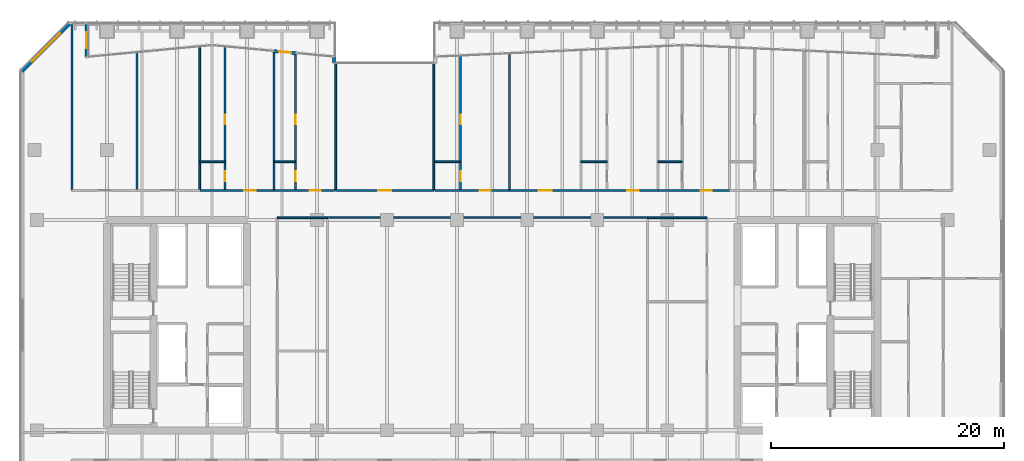
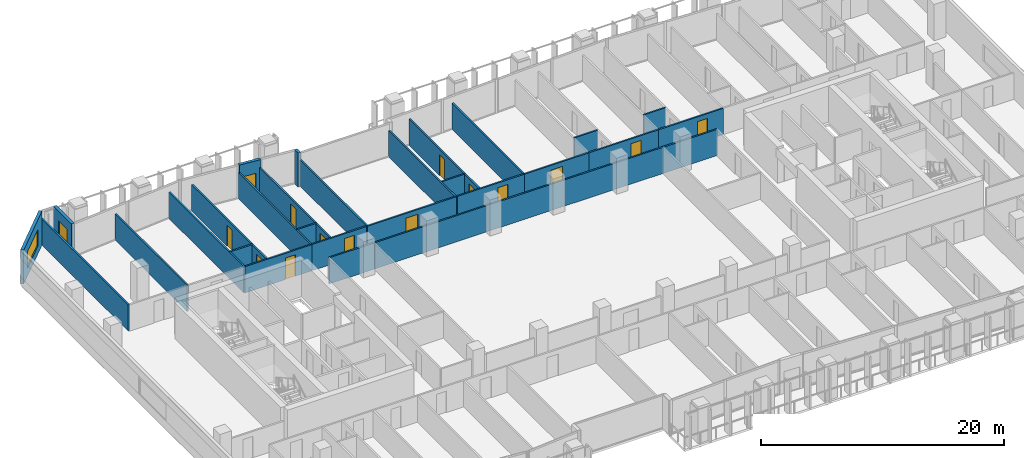
# One storey, part 21 of 31: 29 walls, 14 doors, 2 windows, 16 openings.
"""IFC4 building model written with IfcOpenShell, lengths in metres."""

from ifc_helpers import new_model, si_unit, direction, frame, frame_2d, origin, place, context, subcontext, project, spatial, rectangle, extrude, material, layer, layer_set, type_object, element, fill, save


model = new_model("IFC4")

# Units and contexts
model_context = context("Model", 3, precision=1e-05, world=origin(), true_north=direction((0.0, 1.0)))
body_context = subcontext(model_context, "Body", "Model", "MODEL_VIEW")
ifc_project = project(units=[si_unit("LENGTHUNIT", "METRE"), si_unit("AREAUNIT", "SQUARE_METRE"), si_unit("VOLUMEUNIT", "CUBIC_METRE"), si_unit("PLANEANGLEUNIT", "RADIAN"), si_unit("MASSUNIT", "GRAM", prefix="KILO")], contexts=[model_context])

# Site, building, storey
site_placement = place(None, origin())
site = spatial("IfcSite", under=ifc_project, at=site_placement, CompositionType="ELEMENT")
building_placement = place(site_placement, origin())
building = spatial("IfcBuilding", under=site, at=building_placement, Name="Tanjung Sevakor Pilgrim Tower", CompositionType="ELEMENT")
storey_placement = place(building_placement, frame((0.0, 0.0, 58.739990234375)))
storey = spatial("IfcBuildingStorey", under=building, at=storey_placement, Name="L16", CompositionType="ELEMENT", Elevation=58.739990234375)

# Walls
ifc_material_1 = material(Name="Concrete C40/50", Category="concrete")
ifc_layer_1 = layer(ifc_material_1, 0.14990234375)
ifc_layer_set_1 = layer_set([ifc_layer_1], Name="WT-COMP-150")
wall_type_1 = type_object("IfcWallType", Name="WT-COMP-150", PredefinedType="SOLIDWALL", material=ifc_layer_set_1)
wall_1_placement = place(storey_placement, frame((38.60009765625, 42.800048828125, 0.0), z_axis=(0.0, 0.0, 1.0), x_axis=(1.0, 0.0, 0.0)))
element("IfcWall", 1, at=wall_1_placement, inside=storey, type_object=wall_type_1, Name="L16 Partition IW-L16-026", PredefinedType="SOLIDWALL", context=body_context, shape_type="SweptSolid", body=[
    extrude(rectangle(XDim=4.2998046875, YDim=0.14990234375, at=frame_2d((2.14990234375, 0.0))), origin(), (0.0, 0.0, 1.0), 2.625244140625),
])
wall_2_placement = place(storey_placement, frame((42.89990234375, 42.800048828125, 0.0), z_axis=(0.0, 0.0, 1.0), x_axis=(1.0, 0.0, 0.0)))
element("IfcWall", 2, at=wall_2_placement, inside=storey, type_object=wall_type_1, Name="L16 Partition IW-L16-029", PredefinedType="SOLIDWALL", context=body_context, shape_type="SweptSolid", body=[
    extrude(rectangle(XDim=27.400146484375, YDim=0.14990234375, at=frame_2d((13.7001953125, 0.0))), origin(), (0.0, 0.0, 1.0), 2.625244140625),
])
wall_3_placement = place(storey_placement, frame((70.300048828125, 42.800048828125, 0.0), z_axis=(0.0, 0.0, 1.0), x_axis=(1.0, 0.0, 0.0)))
element("IfcWall", 3, at=wall_3_placement, inside=storey, type_object=wall_type_1, Name="L16 Partition IW-L16-035", PredefinedType="SOLIDWALL", context=body_context, shape_type="SweptSolid", body=[
    extrude(rectangle(XDim=5.099853515625, YDim=0.14990234375, at=frame_2d((2.5498046875, 0.0))), origin(), (0.0, 0.0, 1.0), 2.625244140625),
])

# Wall, opening, door
wall_4_placement = place(storey_placement, frame((43.60009765625, 45.14990234375, 0.0), z_axis=(0.0, 0.0, 1.0), x_axis=(1.0, 0.0, 0.0)))
wall_4 = element("IfcWall", 4, at=wall_4_placement, inside=storey, type_object=wall_type_1, Name="L16 Partition IW-L16-047", PredefinedType="SOLIDWALL", context=body_context, shape_type="SweptSolid", body=[
    extrude(rectangle(XDim=8.39990234375, YDim=0.14990234375, at=frame_2d((4.199951171875, 0.0))), origin(), (0.0, 0.0, 1.0), 2.6298828125),
])
opening_1_placement = place(wall_4_placement, frame((3.64990234375, 0.0, 0.0)))
opening_1 = element("IfcOpeningElement", 5, at=opening_1_placement, cuts=wall_4, Name="Opening ID-RM2", PredefinedType="OPENING", context=body_context, shape_type="SweptSolid", body=[
    extrude(rectangle(XDim=1.10009765625, YDim=2.14990234375, at=frame_2d((0.550048828125, 1.074951171875))), frame((0.0, 0.0849609375, 0.0), z_axis=(0.0, -1.0, 0.0), x_axis=(1.0, 0.0, 0.0)), (0.0, 0.0, 1.0), 0.169921875),
])
ifc_material_2 = material(Name="Hardwood Timber", Category="wood")
door_type_1 = type_object("IfcDoorType", Name="DT-INT-1100", OperationType="NOTDEFINED", PredefinedType="DOOR", material=ifc_material_2)
door_1_placement = place(opening_1_placement, origin())
door_1 = element("IfcDoor", 6, at=door_1_placement, inside=storey, type_object=door_type_1, Name="L16 North Cleft Prayer Room Door", OperationType="SINGLE_SWING_LEFT", OverallHeight=2.14990234375, OverallWidth=1.10009765625, PredefinedType="DOOR", context=body_context, shape_type="SweptSolid", body=[
    extrude(rectangle(XDim=1.10009765625, YDim=2.14990234375, at=frame_2d((0.550048828125, 1.074951171875))), frame((0.0, 0.02490234375, 0.0), z_axis=(0.0, -1.0, 0.0), x_axis=(1.0, 0.0, 0.0)), (0.0, 0.0, 1.0), 0.050048828125),
])
fill(opening_1, door_1)

# Walls
for number, where, z_axis, x_axis, name in (
    (7, (43.60009765625, 45.14990234375, 0.0), (0.0, 0.0, 1.0), (0.0, 1.0, 0.0), "L16 Partition IW-L16-048"),
    (8, (52.0, 45.14990234375, 0.0), (0.0, 0.0, 1.0), (0.0, 1.0, 0.0), "L16 Partition IW-L16-049"),
):
    element("IfcWall", number, at=place(storey_placement, frame(where, z_axis=z_axis, x_axis=x_axis)), inside=storey, type_object=wall_type_1, Name=name, PredefinedType="SOLIDWALL", context=body_context, shape_type="SweptSolid", body=[
        extrude(rectangle(XDim=10.91015625, YDim=0.14990234375, at=frame_2d((5.455078125, 0.0))), origin(), (0.0, 0.0, 1.0), 2.6298828125),
    ])
wall_5_placement = place(storey_placement, frame((21.0, 45.14990234375, 0.0), z_axis=(0.0, 0.0, 1.0), x_axis=(0.0, 1.0, 0.0)))
element("IfcWall", 9, at=wall_5_placement, inside=storey, type_object=wall_type_1, Name="L16 Partition IW-L16-085", PredefinedType="SOLIDWALL", context=body_context, shape_type="SweptSolid", body=[
    extrude(rectangle(XDim=14.31005859375, YDim=0.14990234375, at=frame_2d((7.155029296875, 0.0))), origin(), (0.0, 0.0, 1.0), 2.6298828125),
])
wall_6_placement = place(storey_placement, frame((26.581298828125, 45.14990234375, 0.0), z_axis=(0.0, 0.0, 1.0), x_axis=(0.0, 1.0, 0.0)))
element("IfcWall", 10, at=wall_6_placement, inside=storey, type_object=wall_type_1, Name="L16 Partition IW-L16-086", PredefinedType="SOLIDWALL", context=body_context, shape_type="SweptSolid", body=[
    extrude(rectangle(XDim=11.823974609375, YDim=0.14990234375, at=frame_2d((5.912109375, 0.0))), origin(), (0.0, 0.0, 1.0), 2.6298828125),
])
wall_7_placement = place(storey_placement, frame((31.955810546875, 45.14990234375, 0.0), z_axis=(0.0, 0.0, 1.0), x_axis=(0.0, 1.0, 0.0)))
element("IfcWall", 11, at=wall_7_placement, inside=storey, type_object=wall_type_1, Name="L16 Partition IW-L16-088", PredefinedType="SOLIDWALL", context=body_context, shape_type="SweptSolid", body=[
    extrude(rectangle(XDim=12.3310546875, YDim=0.14990234375, at=frame_2d((6.16552734375, 0.0))), origin(), (0.0, 0.0, 1.0), 2.6298828125),
])
wall_8_placement = place(storey_placement, frame((38.31201171875, 45.14990234375, 0.0), z_axis=(0.0, 0.0, 1.0), x_axis=(0.0, 1.0, 0.0)))
element("IfcWall", 12, at=wall_8_placement, inside=storey, type_object=wall_type_1, Name="L16 Partition IW-L16-090", PredefinedType="SOLIDWALL", context=body_context, shape_type="SweptSolid", body=[
    extrude(rectangle(XDim=11.92822265625, YDim=0.14990234375, at=frame_2d((5.964111328125, 0.0))), origin(), (0.0, 0.0, 1.0), 2.6298828125),
])

# Wall, opening, door
wall_9_placement = place(storey_placement, frame((31.955810546875, 45.14990234375, 0.0), z_axis=(0.0, 0.0, 1.0), x_axis=(1.0, 0.0, 0.0)))
wall_9 = element("IfcWall", 13, at=wall_9_placement, inside=storey, type_object=wall_type_1, Name="L16 Partition IW-L16-093", PredefinedType="SOLIDWALL", context=body_context, shape_type="SweptSolid", body=[
    extrude(rectangle(XDim=6.356201171875, YDim=0.14990234375, at=frame_2d((3.17822265625, 0.0))), origin(), (0.0, 0.0, 1.0), 2.6298828125),
])
opening_2_placement = place(wall_9_placement, frame((3.82373046875, 0.0, 0.0)))
opening_2 = element("IfcOpeningElement", 14, at=opening_2_placement, cuts=wall_9, Name="Opening ID-FD2", PredefinedType="OPENING", context=body_context, shape_type="SweptSolid", body=[
    extrude(rectangle(XDim=0.949951171875, YDim=2.14990234375, at=frame_2d((0.47509765625, 1.074951171875))), frame((0.0, 0.0849609375, 0.0), z_axis=(0.0, -1.0, 0.0), x_axis=(1.0, 0.0, 0.0)), (0.0, 0.0, 1.0), 0.169921875),
])
ifc_material_3 = material(Name="Fire-Rated Timber", Category="wood")
door_type_2 = type_object("IfcDoorType", Name="DT-FIRE-950", OperationType="NOTDEFINED", PredefinedType="DOOR", material=ifc_material_3)
door_2_placement = place(opening_2_placement, origin())
door_2 = element("IfcDoor", 15, at=door_2_placement, inside=storey, type_object=door_type_2, Name="Hostel Quad Entrance", OperationType="SINGLE_SWING_RIGHT", OverallHeight=2.14990234375, OverallWidth=0.949951171875, PredefinedType="DOOR", context=body_context, shape_type="SweptSolid", body=[
    extrude(rectangle(XDim=0.949951171875, YDim=2.14990234375, at=frame_2d((0.47509765625, 1.074951171875))), frame((0.0, 0.02490234375, 0.0), z_axis=(0.0, -1.0, 0.0), x_axis=(1.0, 0.0, 0.0)), (0.0, 0.0, 1.0), 0.050048828125),
])
fill(opening_2, door_2)

wall_10_placement = place(storey_placement, frame((38.31201171875, 45.14990234375, 0.0), z_axis=(0.0, 0.0, 1.0), x_axis=(1.0, 0.0, 0.0)))
wall_10 = element("IfcWall", 16, at=wall_10_placement, inside=storey, type_object=wall_type_1, Name="L16 Partition IW-L16-096", PredefinedType="SOLIDWALL", context=body_context, shape_type="SweptSolid", body=[
    extrude(rectangle(XDim=5.16796875, YDim=0.14990234375, at=frame_2d((2.583984375, 0.0))), origin(), (0.0, 0.0, 1.0), 2.6298828125),
])
opening_3_placement = place(wall_10_placement, frame((3.073974609375, 0.0, 0.0)))
opening_3 = element("IfcOpeningElement", 17, at=opening_3_placement, cuts=wall_10, Name="Opening ID-FD2", PredefinedType="OPENING", context=body_context, shape_type="SweptSolid", body=[
    extrude(rectangle(XDim=0.949951171875, YDim=2.14990234375, at=frame_2d((0.47509765625, 1.074951171875))), frame((0.0, 0.0849609375, 0.0), z_axis=(0.0, -1.0, 0.0), x_axis=(1.0, 0.0, 0.0)), (0.0, 0.0, 1.0), 0.169921875),
])
door_3_placement = place(opening_3_placement, origin())
door_3 = element("IfcDoor", 18, at=door_3_placement, inside=storey, type_object=door_type_2, Name="Hostel Quad Entrance", OperationType="SINGLE_SWING_LEFT", OverallHeight=2.14990234375, OverallWidth=0.949951171875, PredefinedType="DOOR", context=body_context, shape_type="SweptSolid", body=[
    extrude(rectangle(XDim=0.949951171875, YDim=2.14990234375, at=frame_2d((0.47509765625, 1.074951171875))), frame((0.0, 0.02490234375, 0.0), z_axis=(0.0, -1.0, 0.0), x_axis=(1.0, 0.0, 0.0)), (0.0, 0.0, 1.0), 0.050048828125),
])
fill(opening_3, door_3)

# Wall
wall_11_placement = place(storey_placement, frame((58.4794921875, 45.14990234375, 0.0), z_axis=(0.0, 0.0, 1.0), x_axis=(0.0, 1.0, 0.0)))
element("IfcWall", 19, at=wall_11_placement, inside=storey, type_object=wall_type_1, Name="L16 Partition IW-L16-098", PredefinedType="SOLIDWALL", context=body_context, shape_type="SweptSolid", body=[
    extrude(rectangle(XDim=11.7314453125, YDim=0.14990234375, at=frame_2d((5.86572265625, 0.0))), origin(), (0.0, 0.0, 1.0), 2.6298828125),
])

# Wall, opening, door
wall_12_placement = place(storey_placement, frame((52.1201171875, 45.14990234375, 0.0), z_axis=(0.0, 0.0, 1.0), x_axis=(1.0, 0.0, 0.0)))
wall_12 = element("IfcWall", 20, at=wall_12_placement, inside=storey, type_object=wall_type_1, Name="L16 Partition IW-L16-101", PredefinedType="SOLIDWALL", context=body_context, shape_type="SweptSolid", body=[
    extrude(rectangle(XDim=6.359375, YDim=0.14990234375, at=frame_2d((3.1796875, 0.0))), origin(), (0.0, 0.0, 1.0), 2.6298828125),
])
opening_4_placement = place(wall_12_placement, frame((3.82568359375, 0.0, 0.0)))
opening_4 = element("IfcOpeningElement", 21, at=opening_4_placement, cuts=wall_12, Name="Opening ID-FD2", PredefinedType="OPENING", context=body_context, shape_type="SweptSolid", body=[
    extrude(rectangle(XDim=0.949951171875, YDim=2.14990234375, at=frame_2d((0.47509765625, 1.074951171875))), frame((0.0, 0.0849609375, 0.0), z_axis=(0.0, -1.0, 0.0), x_axis=(1.0, 0.0, 0.0)), (0.0, 0.0, 1.0), 0.169921875),
])
door_4_placement = place(opening_4_placement, origin())
door_4 = element("IfcDoor", 22, at=door_4_placement, inside=storey, type_object=door_type_2, Name="Hostel Quad Entrance", OperationType="SINGLE_SWING_RIGHT", OverallHeight=2.14990234375, OverallWidth=0.949951171875, PredefinedType="DOOR", context=body_context, shape_type="SweptSolid", body=[
    extrude(rectangle(XDim=0.949951171875, YDim=2.14990234375, at=frame_2d((0.47509765625, 1.074951171875))), frame((0.0, 0.02490234375, 0.0), z_axis=(0.0, -1.0, 0.0), x_axis=(1.0, 0.0, 0.0)), (0.0, 0.0, 1.0), 0.050048828125),
])
fill(opening_4, door_4)

wall_13_placement = place(storey_placement, frame((58.4794921875, 45.14990234375, 0.0), z_axis=(0.0, 0.0, 1.0), x_axis=(1.0, 0.0, 0.0)))
wall_13 = element("IfcWall", 23, at=wall_13_placement, inside=storey, type_object=wall_type_1, Name="L16 Partition IW-L16-103", PredefinedType="SOLIDWALL", context=body_context, shape_type="SweptSolid", body=[
    extrude(rectangle(XDim=6.123779296875, YDim=0.14990234375, at=frame_2d((3.06201171875, 0.0))), origin(), (0.0, 0.0, 1.0), 2.6298828125),
])
opening_5_placement = place(wall_13_placement, frame((2.511962890625, 0.0, 0.0)))
opening_5 = element("IfcOpeningElement", 24, at=opening_5_placement, cuts=wall_13, Name="Opening ID-FD0", PredefinedType="OPENING", context=body_context, shape_type="SweptSolid", body=[
    extrude(rectangle(XDim=1.10009765625, YDim=2.14990234375, at=frame_2d((0.550048828125, 1.074951171875))), frame((0.0, 0.0849609375, 0.0), z_axis=(0.0, -1.0, 0.0), x_axis=(1.0, 0.0, 0.0)), (0.0, 0.0, 1.0), 0.169921875),
])
ifc_material_4 = material(Name="Fire-Rated Steel S355J2", Category="steel")
door_type_3 = type_object("IfcDoorType", Name="DT-FIRE-1100", OperationType="NOTDEFINED", PredefinedType="DOOR", material=ifc_material_4)
door_5_placement = place(opening_5_placement, origin())
door_5 = element("IfcDoor", 25, at=door_5_placement, inside=storey, type_object=door_type_3, Name="Communal Lounge Door", OperationType="SINGLE_SWING_LEFT", OverallHeight=2.14990234375, OverallWidth=1.10009765625, PredefinedType="DOOR", context=body_context, shape_type="SweptSolid", body=[
    extrude(rectangle(XDim=1.10009765625, YDim=2.14990234375, at=frame_2d((0.550048828125, 1.074951171875))), frame((0.0, 0.02490234375, 0.0), z_axis=(0.0, -1.0, 0.0), x_axis=(1.0, 0.0, 0.0)), (0.0, 0.0, 1.0), 0.050048828125),
])
fill(opening_5, door_5)

wall_14_placement = place(storey_placement, frame((64.603271484375, 45.14990234375, 0.0), z_axis=(0.0, 0.0, 1.0), x_axis=(1.0, 0.0, 0.0)))
wall_14 = element("IfcWall", 26, at=wall_14_placement, inside=storey, type_object=wall_type_1, Name="L16 Partition IW-L16-107", PredefinedType="SOLIDWALL", context=body_context, shape_type="SweptSolid", body=[
    extrude(rectangle(XDim=6.5947265625, YDim=0.14990234375, at=frame_2d((3.29736328125, 0.0))), origin(), (0.0, 0.0, 1.0), 2.6298828125),
])
opening_6_placement = place(wall_14_placement, frame((3.983642578125, 0.0, 0.0)))
opening_6 = element("IfcOpeningElement", 27, at=opening_6_placement, cuts=wall_14, Name="Opening ID-FD2", PredefinedType="OPENING", context=body_context, shape_type="SweptSolid", body=[
    extrude(rectangle(XDim=0.949951171875, YDim=2.14990234375, at=frame_2d((0.47509765625, 1.074951171875))), frame((0.0, 0.0849609375, 0.0), z_axis=(0.0, -1.0, 0.0), x_axis=(1.0, 0.0, 0.0)), (0.0, 0.0, 1.0), 0.169921875),
])
door_6_placement = place(opening_6_placement, origin())
door_6 = element("IfcDoor", 28, at=door_6_placement, inside=storey, type_object=door_type_2, Name="Hostel Quad Entrance", OperationType="SINGLE_SWING_RIGHT", OverallHeight=2.14990234375, OverallWidth=0.949951171875, PredefinedType="DOOR", context=body_context, shape_type="SweptSolid", body=[
    extrude(rectangle(XDim=0.949951171875, YDim=2.14990234375, at=frame_2d((0.47509765625, 1.074951171875))), frame((0.0, 0.02490234375, 0.0), z_axis=(0.0, -1.0, 0.0), x_axis=(1.0, 0.0, 0.0)), (0.0, 0.0, 1.0), 0.050048828125),
])
fill(opening_6, door_6)

wall_15_placement = place(storey_placement, frame((71.197998046875, 45.14990234375, 0.0), z_axis=(0.0, 0.0, 1.0), x_axis=(1.0, 0.0, 0.0)))
wall_15 = element("IfcWall", 29, at=wall_15_placement, inside=storey, type_object=wall_type_1, Name="L16 Partition IW-L16-111", PredefinedType="SOLIDWALL", context=body_context, shape_type="SweptSolid", body=[
    extrude(rectangle(XDim=6.1240234375, YDim=0.14990234375, at=frame_2d((3.06201171875, 0.0))), origin(), (0.0, 0.0, 1.0), 2.6298828125),
])
opening_7_placement = place(wall_15_placement, frame((3.66796875, 0.0, 0.0)))
opening_7 = element("IfcOpeningElement", 30, at=opening_7_placement, cuts=wall_15, Name="Opening ID-FD2", PredefinedType="OPENING", context=body_context, shape_type="SweptSolid", body=[
    extrude(rectangle(XDim=0.949951171875, YDim=2.14990234375, at=frame_2d((0.47509765625, 1.074951171875))), frame((0.0, 0.0849609375, 0.0), z_axis=(0.0, -1.0, 0.0), x_axis=(1.0, 0.0, 0.0)), (0.0, 0.0, 1.0), 0.169921875),
])
door_7_placement = place(opening_7_placement, origin())
door_7 = element("IfcDoor", 31, at=door_7_placement, inside=storey, type_object=door_type_2, Name="Hostel Quad Entrance", OperationType="SINGLE_SWING_LEFT", OverallHeight=2.14990234375, OverallWidth=0.949951171875, PredefinedType="DOOR", context=body_context, shape_type="SweptSolid", body=[
    extrude(rectangle(XDim=0.949951171875, YDim=2.14990234375, at=frame_2d((0.47509765625, 1.074951171875))), frame((0.0, 0.02490234375, 0.0), z_axis=(0.0, -1.0, 0.0), x_axis=(1.0, 0.0, 0.0)), (0.0, 0.0, 1.0), 0.050048828125),
])
fill(opening_7, door_7)

# Wall
ifc_material_5 = material(Name="Precast concrete C45/55", Category="concrete")
ifc_layer_2 = layer(ifc_material_5, 0.280029296875)
ifc_layer_set_2 = layer_set([ifc_layer_2], Name="WT-EW-STN2")
wall_type_2 = type_object("IfcWallType", Name="WT-EW-STN2", PredefinedType="SOLIDWALL", material=ifc_layer_set_2)
wall_16_placement = place(storey_placement, frame((43.4599609375, 56.06005859375, 0.0), z_axis=(0.0, 0.0, 1.0), x_axis=(0.0, 1.0, 0.0)))
element("IfcWall", 32, at=wall_16_placement, inside=storey, type_object=wall_type_2, Name="L16 MAIN Exterior Wall 27", PredefinedType="SOLIDWALL", context=body_context, shape_type="SweptSolid", body=[
    extrude(rectangle(XDim=0.532470703125, YDim=0.280029296875, at=frame_2d((0.26611328125, 0.0))), origin(), (0.0, 0.0, 1.0), 3.409912109375),
])

# Wall, opening, door
wall_17_placement = place(storey_placement, frame((40.224365234375, 56.897705078125, 0.0), z_axis=(0.0, 0.0, 1.0), x_axis=(-0.995575739283, 0.093962478418, 0.0)))
wall_17 = element("IfcWall", 33, at=wall_17_placement, inside=storey, type_object=wall_type_2, Name="L16 S-Curve Terrace Threshold Wall 27", PredefinedType="SOLIDWALL", context=body_context, shape_type="SweptSolid", body=[
    extrude(rectangle(XDim=1.946044921875, YDim=0.280029296875, at=frame_2d((0.97314453125, 0.0))), origin(), (0.0, 0.0, 1.0), 3.409912109375),
])
opening_8_placement = place(wall_17_placement, frame((0.423095703125, 0.0, 0.0)))
opening_8 = element("IfcOpeningElement", 34, at=opening_8_placement, cuts=wall_17, Name="Opening ED-BAL-1100", PredefinedType="OPENING", context=body_context, shape_type="SweptSolid", body=[
    extrude(rectangle(XDim=1.10009765625, YDim=2.14990234375, at=frame_2d((0.550048828125, 1.074951171875))), frame((0.0, 0.14990234375, 0.0), z_axis=(0.0, -1.0, 0.0), x_axis=(1.0, 0.0, 0.0)), (0.0, 0.0, 1.0), 0.300048828125),
])
ifc_material_6 = material(Name="Anodised Aluminium and Laminated Glass", Category="aluminium")
door_type_4 = type_object("IfcDoorType", Name="DTYP-ED-BAL-1100", OperationType="NOTDEFINED", PredefinedType="DOOR", material=ifc_material_6)
door_8_placement = place(opening_8_placement, frame((1.10009765625, 0.0, 0.0), z_axis=(0.0, 0.0, 1.0), x_axis=(-1.0, 0.0, 0.0)))
door_8 = element("IfcDoor", 35, at=door_8_placement, inside=storey, type_object=door_type_4, Name="L16 S-Curve Terrace Access Door 27", OperationType="SINGLE_SWING_LEFT", OverallHeight=2.14990234375, OverallWidth=1.10009765625, PredefinedType="DOOR", context=body_context, shape_type="SweptSolid", body=[
    extrude(rectangle(XDim=1.10009765625, YDim=2.14990234375, at=frame_2d((0.550048828125, 1.074951171875))), frame((0.0, 0.02490234375, 0.0), z_axis=(0.0, -1.0, 0.0), x_axis=(1.0, 0.0, 0.0)), (0.0, 0.0, 1.0), 0.050048828125),
])
fill(opening_8, door_8)

# Wall, opening, window
wall_18_placement = place(storey_placement, frame((22.260009765625, 56.566162109375, 0.0), z_axis=(0.0, 0.0, 1.0), x_axis=(0.0, 1.0, 0.0)))
wall_18 = element("IfcWall", 36, at=wall_18_placement, inside=storey, type_object=wall_type_2, Name="L16 MAIN Exterior Wall 32", PredefinedType="SOLIDWALL", context=body_context, shape_type="SweptSolid", body=[
    extrude(rectangle(XDim=2.893798828125, YDim=0.280029296875, at=frame_2d((1.44677734375, 0.0))), origin(), (0.0, 0.0, 1.0), 3.409912109375),
])
opening_9_placement = place(wall_18_placement, frame((0.746826171875, 0.0, 0.780029296875)))
opening_9 = element("IfcOpeningElement", 37, at=opening_9_placement, cuts=wall_18, Name="Opening WN-END", PredefinedType="OPENING", context=body_context, shape_type="SweptSolid", body=[
    extrude(rectangle(XDim=1.39990234375, YDim=1.64990234375, at=frame_2d((0.699951171875, 0.824951171875))), frame((0.0, 0.14990234375, 0.0), z_axis=(0.0, -1.0, 0.0), x_axis=(1.0, 0.0, 0.0)), (0.0, 0.0, 1.0), 0.300048828125),
])
ifc_material_7 = material(Name="Thermally Broken Aluminium and Low-E Glass", Category="aluminium")
window_type_1 = type_object("IfcWindowType", Name="WTYP-WN-END", PartitioningType="SINGLE_PANEL", PredefinedType="WINDOW", material=ifc_material_7)
window_1_placement = place(opening_9_placement, origin())
window_1 = element("IfcWindow", 38, at=window_1_placement, inside=storey, type_object=window_type_1, Name="L16 Facade Window 01", OverallHeight=1.64990234375, OverallWidth=1.39990234375, PartitioningType="SINGLE_PANEL", PredefinedType="WINDOW", context=body_context, shape_type="SweptSolid", body=[
    extrude(rectangle(XDim=1.39990234375, YDim=1.64990234375, at=frame_2d((0.699951171875, 0.824951171875))), frame((0.0, 0.030029296875, 0.0), z_axis=(0.0, -1.0, 0.0), x_axis=(1.0, 0.0, 0.0)), (0.0, 0.0, 1.0), 0.06005859375),
])
fill(opening_9, window_1)

wall_19_placement = place(storey_placement, frame((20.85791015625, 59.4599609375, 0.0), z_axis=(0.0, 0.0, 1.0), x_axis=(-0.707106781187, -0.707106781187, 0.0)))
wall_19 = element("IfcWall", 39, at=wall_19_placement, inside=storey, type_object=wall_type_2, Name="L16 MAIN Sculpted Corner Wall 33", PredefinedType="SOLIDWALL", context=body_context, shape_type="SweptSolid", body=[
    extrude(rectangle(XDim=5.82373046875, YDim=0.280029296875, at=frame_2d((2.911865234375, 0.0))), origin(), (0.0, 0.0, 1.0), 3.409912109375),
])
opening_10_placement = place(wall_19_placement, frame((1.2119140625, 0.0, 0.780029296875)))
opening_10 = element("IfcOpeningElement", 40, at=opening_10_placement, cuts=wall_19, Name="Opening WN-CHM-1660", PredefinedType="OPENING", context=body_context, shape_type="SweptSolid", body=[
    extrude(rectangle(XDim=3.39990234375, YDim=1.659912109375, at=frame_2d((1.699951171875, 0.830078125))), frame((0.0, 0.14990234375, 0.0), z_axis=(0.0, -1.0, 0.0), x_axis=(1.0, 0.0, 0.0)), (0.0, 0.0, 1.0), 0.300048828125),
])
ifc_material_8 = material(Name="Thermally Broken Aluminium and Low-E Glass", Category="aluminium")
window_type_2 = type_object("IfcWindowType", Name="WTYP-WN-CHM-1660", PartitioningType="DOUBLE_PANEL_VERTICAL", PredefinedType="WINDOW", material=ifc_material_8)
window_2_placement = place(opening_10_placement, origin())
window_2 = element("IfcWindow", 41, at=window_2_placement, inside=storey, type_object=window_type_2, Name="L16 Facade Window 01", OverallHeight=1.659912109375, OverallWidth=3.39990234375, PartitioningType="SINGLE_PANEL", PredefinedType="WINDOW", context=body_context, shape_type="SweptSolid", body=[
    extrude(rectangle(XDim=3.39990234375, YDim=1.659912109375, at=frame_2d((1.699951171875, 0.830078125))), frame((0.0, 0.030029296875, 0.0), z_axis=(0.0, -1.0, 0.0), x_axis=(1.0, 0.0, 0.0)), (0.0, 0.0, 1.0), 0.06005859375),
])
fill(opening_10, window_2)

# Wall
ifc_material_9 = material(Name="Gypsum Board Partition", Category="gypsum board")
ifc_layer_3 = layer(ifc_material_9, 0.14990234375)
ifc_layer_set_3 = layer_set([ifc_layer_3], Name="WT-PART-150")
wall_type_3 = type_object("IfcWallType", Name="WT-PART-150", PredefinedType="PARTITIONING", material=ifc_layer_set_3)
wall_20_placement = place(storey_placement, frame((31.955810546875, 47.60009765625, 0.0), z_axis=(0.0, 0.0, 1.0), x_axis=(1.0, 0.0, 0.0)))
element("IfcWall", 42, at=wall_20_placement, inside=storey, type_object=wall_type_3, Name="L16 Partition IW-L16-091", PredefinedType="PARTITIONING", context=body_context, shape_type="SweptSolid", body=[
    extrude(rectangle(XDim=2.1611328125, YDim=0.14990234375, at=frame_2d((1.08056640625, 0.0))), origin(), (0.0, 0.0, 1.0), 2.6298828125),
])

# Wall, openings, doors
wall_21_placement = place(storey_placement, frame((34.116943359375, 45.14990234375, 0.0), z_axis=(0.0, 0.0, 1.0), x_axis=(0.0, 1.0, 0.0)))
wall_21 = element("IfcWall", 43, at=wall_21_placement, inside=storey, type_object=wall_type_3, Name="L16 Partition IW-L16-092", PredefinedType="PARTITIONING", context=body_context, shape_type="SweptSolid", body=[
    extrude(rectangle(XDim=12.32421875, YDim=0.14990234375, at=frame_2d((6.162109375, 0.0))), origin(), (0.0, 0.0, 1.0), 2.6298828125),
])
opening_11_placement = place(wall_21_placement, frame((0.800048828125, 0.0, 0.0)))
opening_11 = element("IfcOpeningElement", 44, at=opening_11_placement, cuts=wall_21, Name="Opening ID-WC1", PredefinedType="OPENING", context=body_context, shape_type="SweptSolid", body=[
    extrude(rectangle(XDim=0.85009765625, YDim=2.10009765625, at=frame_2d((0.425048828125, 1.050048828125))), frame((0.0, 0.0849609375, 0.0), z_axis=(0.0, -1.0, 0.0), x_axis=(1.0, 0.0, 0.0)), (0.0, 0.0, 1.0), 0.169921875),
])
opening_12_placement = place(wall_21_placement, frame((5.64990234375, 0.0, 0.0)))
opening_12 = element("IfcOpeningElement", 45, at=opening_12_placement, cuts=wall_21, Name="Opening ID-WC1", PredefinedType="OPENING", context=body_context, shape_type="SweptSolid", body=[
    extrude(rectangle(XDim=0.85009765625, YDim=2.10009765625, at=frame_2d((0.425048828125, 1.050048828125))), frame((0.0, 0.0849609375, 0.0), z_axis=(0.0, -1.0, 0.0), x_axis=(1.0, 0.0, 0.0)), (0.0, 0.0, 1.0), 0.169921875),
])
ifc_material_10 = material(Name="Moisture-Resistant Timber", Category="wood")
door_type_5 = type_object("IfcDoorType", Name="DT-INT-850", OperationType="NOTDEFINED", PredefinedType="DOOR", material=ifc_material_10)
door_9_placement = place(opening_11_placement, origin())
door_9 = element("IfcDoor", 46, at=door_9_placement, inside=storey, type_object=door_type_5, Name="Bathroom Door", OperationType="SINGLE_SWING_RIGHT", OverallHeight=2.10009765625, OverallWidth=0.85009765625, PredefinedType="DOOR", context=body_context, shape_type="SweptSolid", body=[
    extrude(rectangle(XDim=0.85009765625, YDim=2.10009765625, at=frame_2d((0.425048828125, 1.050048828125))), frame((0.0, 0.02490234375, 0.0), z_axis=(0.0, -1.0, 0.0), x_axis=(1.0, 0.0, 0.0)), (0.0, 0.0, 1.0), 0.050048828125),
])
fill(opening_11, door_9)
door_10_placement = place(opening_12_placement, origin())
door_10 = element("IfcDoor", 47, at=door_10_placement, inside=storey, type_object=door_type_5, Name="Study Nook Door", OperationType="SINGLE_SWING_LEFT", OverallHeight=2.10009765625, OverallWidth=0.85009765625, PredefinedType="DOOR", context=body_context, shape_type="SweptSolid", body=[
    extrude(rectangle(XDim=0.85009765625, YDim=2.10009765625, at=frame_2d((0.425048828125, 1.050048828125))), frame((0.0, 0.02490234375, 0.0), z_axis=(0.0, -1.0, 0.0), x_axis=(1.0, 0.0, 0.0)), (0.0, 0.0, 1.0), 0.050048828125),
])
fill(opening_12, door_10)

# Wall
wall_22_placement = place(storey_placement, frame((38.31201171875, 47.60009765625, 0.0), z_axis=(0.0, 0.0, 1.0), x_axis=(1.0, 0.0, 0.0)))
element("IfcWall", 48, at=wall_22_placement, inside=storey, type_object=wall_type_3, Name="L16 Partition IW-L16-094", PredefinedType="PARTITIONING", context=body_context, shape_type="SweptSolid", body=[
    extrude(rectangle(XDim=1.85009765625, YDim=0.14990234375, at=frame_2d((0.925048828125, 0.0))), origin(), (0.0, 0.0, 1.0), 2.6298828125),
])

# Wall, openings, doors
wall_23_placement = place(storey_placement, frame((40.162109375, 45.14990234375, 0.0), z_axis=(0.0, 0.0, 1.0), x_axis=(0.0, 1.0, 0.0)))
wall_23 = element("IfcWall", 49, at=wall_23_placement, inside=storey, type_object=wall_type_3, Name="L16 Partition IW-L16-095", PredefinedType="PARTITIONING", context=body_context, shape_type="SweptSolid", body=[
    extrude(rectangle(XDim=11.75390625, YDim=0.14990234375, at=frame_2d((5.876953125, 0.0))), origin(), (0.0, 0.0, 1.0), 2.6298828125),
])
opening_13_placement = place(wall_23_placement, frame((0.800048828125, 0.0, 0.0)))
opening_13 = element("IfcOpeningElement", 50, at=opening_13_placement, cuts=wall_23, Name="Opening ID-WC1", PredefinedType="OPENING", context=body_context, shape_type="SweptSolid", body=[
    extrude(rectangle(XDim=0.85009765625, YDim=2.10009765625, at=frame_2d((0.425048828125, 1.050048828125))), frame((0.0, 0.0849609375, 0.0), z_axis=(0.0, -1.0, 0.0), x_axis=(1.0, 0.0, 0.0)), (0.0, 0.0, 1.0), 0.169921875),
])
opening_14_placement = place(wall_23_placement, frame((5.64990234375, 0.0, 0.0)))
opening_14 = element("IfcOpeningElement", 51, at=opening_14_placement, cuts=wall_23, Name="Opening ID-WC1", PredefinedType="OPENING", context=body_context, shape_type="SweptSolid", body=[
    extrude(rectangle(XDim=0.85009765625, YDim=2.10009765625, at=frame_2d((0.425048828125, 1.050048828125))), frame((0.0, 0.0849609375, 0.0), z_axis=(0.0, -1.0, 0.0), x_axis=(1.0, 0.0, 0.0)), (0.0, 0.0, 1.0), 0.169921875),
])
door_11_placement = place(opening_13_placement, origin())
door_11 = element("IfcDoor", 52, at=door_11_placement, inside=storey, type_object=door_type_5, Name="Bathroom Door", OperationType="SINGLE_SWING_LEFT", OverallHeight=2.10009765625, OverallWidth=0.85009765625, PredefinedType="DOOR", context=body_context, shape_type="SweptSolid", body=[
    extrude(rectangle(XDim=0.85009765625, YDim=2.10009765625, at=frame_2d((0.425048828125, 1.050048828125))), frame((0.0, 0.02490234375, 0.0), z_axis=(0.0, -1.0, 0.0), x_axis=(1.0, 0.0, 0.0)), (0.0, 0.0, 1.0), 0.050048828125),
])
fill(opening_13, door_11)
door_12_placement = place(opening_14_placement, origin())
door_12 = element("IfcDoor", 53, at=door_12_placement, inside=storey, type_object=door_type_5, Name="Study Nook Door", OperationType="SINGLE_SWING_RIGHT", OverallHeight=2.10009765625, OverallWidth=0.85009765625, PredefinedType="DOOR", context=body_context, shape_type="SweptSolid", body=[
    extrude(rectangle(XDim=0.85009765625, YDim=2.10009765625, at=frame_2d((0.425048828125, 1.050048828125))), frame((0.0, 0.02490234375, 0.0), z_axis=(0.0, -1.0, 0.0), x_axis=(1.0, 0.0, 0.0)), (0.0, 0.0, 1.0), 0.050048828125),
])
fill(opening_14, door_12)

# Wall
wall_24_placement = place(storey_placement, frame((52.1201171875, 47.60009765625, 0.0), z_axis=(0.0, 0.0, 1.0), x_axis=(1.0, 0.0, 0.0)))
element("IfcWall", 54, at=wall_24_placement, inside=storey, type_object=wall_type_3, Name="L16 Partition IW-L16-099", PredefinedType="PARTITIONING", context=body_context, shape_type="SweptSolid", body=[
    extrude(rectangle(XDim=2.162109375, YDim=0.14990234375, at=frame_2d((1.0810546875, 0.0))), origin(), (0.0, 0.0, 1.0), 2.6298828125),
])

# Wall, openings, doors
wall_25_placement = place(storey_placement, frame((54.2822265625, 45.14990234375, 0.0), z_axis=(0.0, 0.0, 1.0), x_axis=(0.0, 1.0, 0.0)))
wall_25 = element("IfcWall", 55, at=wall_25_placement, inside=storey, type_object=wall_type_3, Name="L16 Partition IW-L16-100", PredefinedType="PARTITIONING", context=body_context, shape_type="SweptSolid", body=[
    extrude(rectangle(XDim=11.5361328125, YDim=0.14990234375, at=frame_2d((5.76806640625, 0.0))), origin(), (0.0, 0.0, 1.0), 2.6298828125),
])
opening_15_placement = place(wall_25_placement, frame((0.800048828125, 0.0, 0.0)))
opening_15 = element("IfcOpeningElement", 56, at=opening_15_placement, cuts=wall_25, Name="Opening ID-WC1", PredefinedType="OPENING", context=body_context, shape_type="SweptSolid", body=[
    extrude(rectangle(XDim=0.85009765625, YDim=2.10009765625, at=frame_2d((0.425048828125, 1.050048828125))), frame((0.0, 0.0849609375, 0.0), z_axis=(0.0, -1.0, 0.0), x_axis=(1.0, 0.0, 0.0)), (0.0, 0.0, 1.0), 0.169921875),
])
opening_16_placement = place(wall_25_placement, frame((5.64990234375, 0.0, 0.0)))
opening_16 = element("IfcOpeningElement", 57, at=opening_16_placement, cuts=wall_25, Name="Opening ID-WC1", PredefinedType="OPENING", context=body_context, shape_type="SweptSolid", body=[
    extrude(rectangle(XDim=0.85009765625, YDim=2.10009765625, at=frame_2d((0.425048828125, 1.050048828125))), frame((0.0, 0.0849609375, 0.0), z_axis=(0.0, -1.0, 0.0), x_axis=(1.0, 0.0, 0.0)), (0.0, 0.0, 1.0), 0.169921875),
])
door_13_placement = place(opening_15_placement, origin())
door_13 = element("IfcDoor", 58, at=door_13_placement, inside=storey, type_object=door_type_5, Name="Bathroom Door", OperationType="SINGLE_SWING_RIGHT", OverallHeight=2.10009765625, OverallWidth=0.85009765625, PredefinedType="DOOR", context=body_context, shape_type="SweptSolid", body=[
    extrude(rectangle(XDim=0.85009765625, YDim=2.10009765625, at=frame_2d((0.425048828125, 1.050048828125))), frame((0.0, 0.02490234375, 0.0), z_axis=(0.0, -1.0, 0.0), x_axis=(1.0, 0.0, 0.0)), (0.0, 0.0, 1.0), 0.050048828125),
])
fill(opening_15, door_13)
door_14_placement = place(opening_16_placement, origin())
door_14 = element("IfcDoor", 59, at=door_14_placement, inside=storey, type_object=door_type_5, Name="Study Nook Door", OperationType="SINGLE_SWING_LEFT", OverallHeight=2.10009765625, OverallWidth=0.85009765625, PredefinedType="DOOR", context=body_context, shape_type="SweptSolid", body=[
    extrude(rectangle(XDim=0.85009765625, YDim=2.10009765625, at=frame_2d((0.425048828125, 1.050048828125))), frame((0.0, 0.02490234375, 0.0), z_axis=(0.0, -1.0, 0.0), x_axis=(1.0, 0.0, 0.0)), (0.0, 0.0, 1.0), 0.050048828125),
])
fill(opening_16, door_14)

# Walls
wall_26_placement = place(storey_placement, frame((64.603271484375, 47.60009765625, 0.0), z_axis=(0.0, 0.0, 1.0), x_axis=(1.0, 0.0, 0.0)))
element("IfcWall", 60, at=wall_26_placement, inside=storey, type_object=wall_type_3, Name="L16 Partition IW-L16-105", PredefinedType="PARTITIONING", context=body_context, shape_type="SweptSolid", body=[
    extrude(rectangle(XDim=2.2421875, YDim=0.14990234375, at=frame_2d((1.12109375, 0.0))), origin(), (0.0, 0.0, 1.0), 2.6298828125),
])
wall_27_placement = place(storey_placement, frame((71.197998046875, 47.60009765625, 0.0), z_axis=(0.0, 0.0, 1.0), x_axis=(1.0, 0.0, 0.0)))
element("IfcWall", 61, at=wall_27_placement, inside=storey, type_object=wall_type_3, Name="L16 Partition IW-L16-109", PredefinedType="PARTITIONING", context=body_context, shape_type="SweptSolid", body=[
    extrude(rectangle(XDim=2.082275390625, YDim=0.14990234375, at=frame_2d((1.041015625, 0.0))), origin(), (0.0, 0.0, 1.0), 2.6298828125),
])

save(model, "model.ifc")
